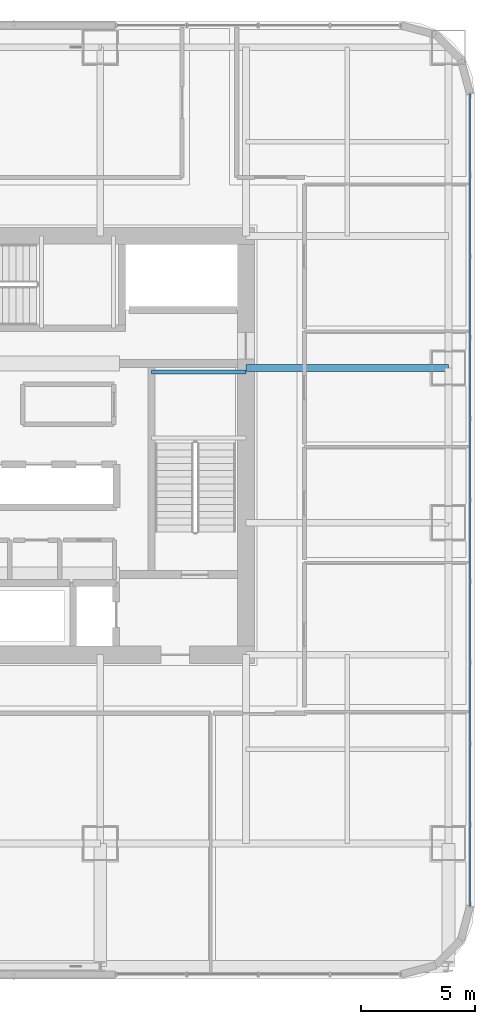
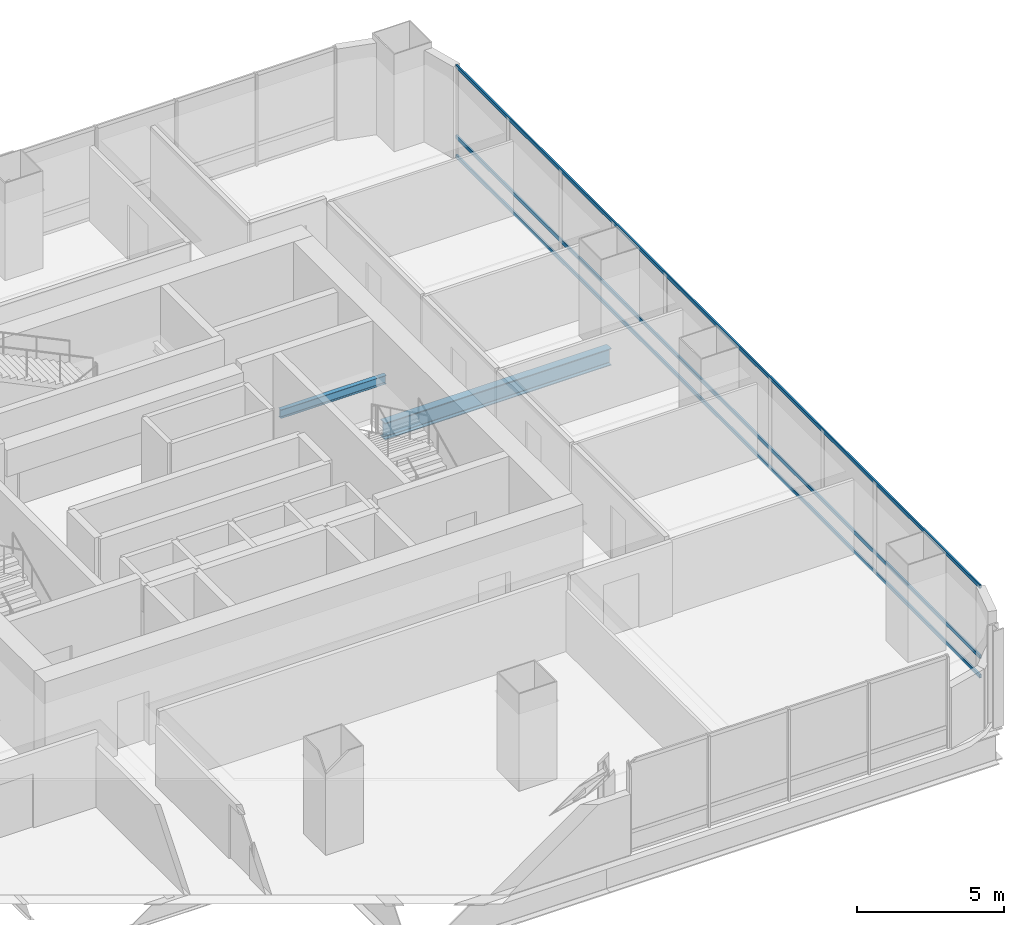
# One storey, part 15 of 37: 3 members, 2 beams, 1 element without a shape of its own.
"""IFC4 building model written with IfcOpenShell, lengths in metres."""

from ifc_helpers import new_model, si_unit, direction, frame, origin, origin_2d, place, context, subcontext, project, spatial, hollow_rectangle, i_section, extrude, material, material_profile, profile_set, type_object, element, aggregate, save


model = new_model("IFC4")

# Units and contexts
model_context = context("Model", 3, precision=1e-05, world=origin(), true_north=direction((0.0, 1.0)))
body_context = subcontext(model_context, "Body", "Model", "MODEL_VIEW")
ifc_project = project(units=[si_unit("LENGTHUNIT", "METRE"), si_unit("AREAUNIT", "SQUARE_METRE"), si_unit("VOLUMEUNIT", "CUBIC_METRE"), si_unit("PLANEANGLEUNIT", "RADIAN"), si_unit("MASSUNIT", "GRAM", prefix="KILO")], contexts=[model_context])

# Site, building, storey
site_placement = place(None, origin())
site = spatial("IfcSite", under=ifc_project, at=site_placement, CompositionType="ELEMENT")
building_placement = place(site_placement, origin())
building = spatial("IfcBuilding", under=site, at=building_placement, Name="Punatoya Terracotta Tower", CompositionType="ELEMENT")
storey_placement = place(building_placement, frame((0.0, 0.0, 44.39990234375)))
storey = spatial("IfcBuildingStorey", under=building, at=storey_placement, Name="L09", CompositionType="ELEMENT", Elevation=44.39990234375)

# Beams
ifc_material_1 = material(Name="Steel S355", Category="steel")
ifc_material_profile_1 = material_profile(ifc_material_1, i_section(OverallWidth=0.300048828125, OverallDepth=0.699951171875, WebThickness=0.01708984375, FlangeThickness=0.031982421875, FilletRadius=0.01806640625, at=origin_2d()))
ifc_profile_set_1 = profile_set([ifc_material_profile_1], Name="Steel S355")
beam_type_1 = type_object("IfcBeamType", Name="BM-PRI-700", PredefinedType="BEAM", material=ifc_profile_set_1)
beam_1_placement = place(storey_placement, frame((10.199951171875, 3.39990234375, -0.58984375), z_axis=(1.0, 0.0, 0.0), x_axis=(0.0, 1.0, 0.0)))
element("IfcBeam", 1, at=beam_1_placement, inside=storey, type_object=beam_type_1, Name="BM-L09-PR-EE", PredefinedType="BEAM", context=body_context, shape_type="SweptSolid", body=[
    extrude(i_section(OverallWidth=0.300048828125, OverallDepth=0.699951171875, WebThickness=0.01708984375, FlangeThickness=0.031982421875, FilletRadius=0.01806640625, at=origin_2d()), origin(), (0.0, 0.0, 1.0), 8.900146484375),
])
ifc_material_profile_2 = material_profile(ifc_material_1, i_section(OverallWidth=0.169921875, OverallDepth=0.360107421875, WebThickness=0.008056640625, FlangeThickness=0.0126953125, FilletRadius=0.01806640625, at=origin_2d()))
ifc_profile_set_2 = profile_set([ifc_material_profile_2], Name="Steel S355")
beam_type_2 = type_object("IfcBeamType", Name="BM-SEC-360", PredefinedType="JOIST", material=ifc_profile_set_2)
beam_2_placement = place(storey_placement, frame((6.050048828125, 3.22998046875, 1.64501953125), z_axis=(1.0, 0.0, 0.0), x_axis=(0.0, 1.0, 0.0)))
element("IfcBeam", 2, at=beam_2_placement, inside=storey, type_object=beam_type_2, Name="BM-L09-ST-2-LD1B", PredefinedType="JOIST", context=body_context, shape_type="SweptSolid", body=[
    extrude(i_section(OverallWidth=0.169921875, OverallDepth=0.360107421875, WebThickness=0.008056640625, FlangeThickness=0.0126953125, FilletRadius=0.01806640625, at=origin_2d()), origin(), (0.0, 0.0, 1.0), 4.14990234375),
])

# Curtain wall, members
ifc_material_2 = material(Name="Aluminium 6063-T6 + Double Low-E Glass", Category="aluminium")
curtain_wall_type = type_object("IfcCurtainWallType", Name="CW-M1", PredefinedType="NOTDEFINED", material=ifc_material_2)
curtain_wall_placement = place(storey_placement, origin())
curtain_wall = element("IfcCurtainWall", 3, at=curtain_wall_placement, inside=storey, type_object=curtain_wall_type, Name="L09 Curtain Wall CW-L09-E05-1", PredefinedType="NOTDEFINED")
ifc_material_3 = material(Name="Aluminium 6063-T6", Category="aluminium")
ifc_material_profile_3 = material_profile(ifc_material_3, hollow_rectangle(XDim=0.068115234375, YDim=0.14990234375, WallThickness=0.00390625, at=origin_2d()))
ifc_profile_set_3 = profile_set([ifc_material_profile_3], Name="Aluminium 6063-T6")
member_type = type_object("IfcMemberType", Name="CW-TRN-TYP", PredefinedType="USERDEFINED", material=ifc_profile_set_3)
member_1_placement = place(storey_placement, frame((20.050048828125, -20.23681640625, 0.0400390625), z_axis=(0.0, 1.0, 0.0), x_axis=(-1.0, 0.0, 0.0)))
member_1 = element("IfcMember", 4, at=member_1_placement, type_object=member_type, Name="CW-L09-E05-1 Transom 1", ObjectType="TRANSOM", PredefinedType="USERDEFINED", context=body_context, shape_type="SweptSolid", body=[
    extrude(hollow_rectangle(XDim=0.068115234375, YDim=0.14990234375, WallThickness=0.00390625, at=origin_2d()), origin(), (0.0, 0.0, 1.0), 35.673828125),
])
member_2_placement = place(storey_placement, frame((20.050048828125, -20.23681640625, 0.85009765625), z_axis=(0.0, 1.0, 0.0), x_axis=(-1.0, 0.0, 0.0)))
member_2 = element("IfcMember", 5, at=member_2_placement, type_object=member_type, Name="CW-L09-E05-1 Transom 2", ObjectType="TRANSOM", PredefinedType="USERDEFINED", context=body_context, shape_type="SweptSolid", body=[
    extrude(hollow_rectangle(XDim=0.068115234375, YDim=0.14990234375, WallThickness=0.00390625, at=origin_2d()), origin(), (0.0, 0.0, 1.0), 35.673828125),
])
member_3_placement = place(storey_placement, frame((20.050048828125, -20.23681640625, 3.77001953125), z_axis=(0.0, 1.0, 0.0), x_axis=(-1.0, 0.0, 0.0)))
member_3 = element("IfcMember", 6, at=member_3_placement, type_object=member_type, Name="CW-L09-E05-1 Transom 3", ObjectType="TRANSOM", PredefinedType="USERDEFINED", context=body_context, shape_type="SweptSolid", body=[
    extrude(hollow_rectangle(XDim=0.068115234375, YDim=0.14990234375, WallThickness=0.00390625, at=origin_2d()), origin(), (0.0, 0.0, 1.0), 35.673828125),
])
aggregate(curtain_wall, [member_1, member_2, member_3])

save(model, "model.ifc")
